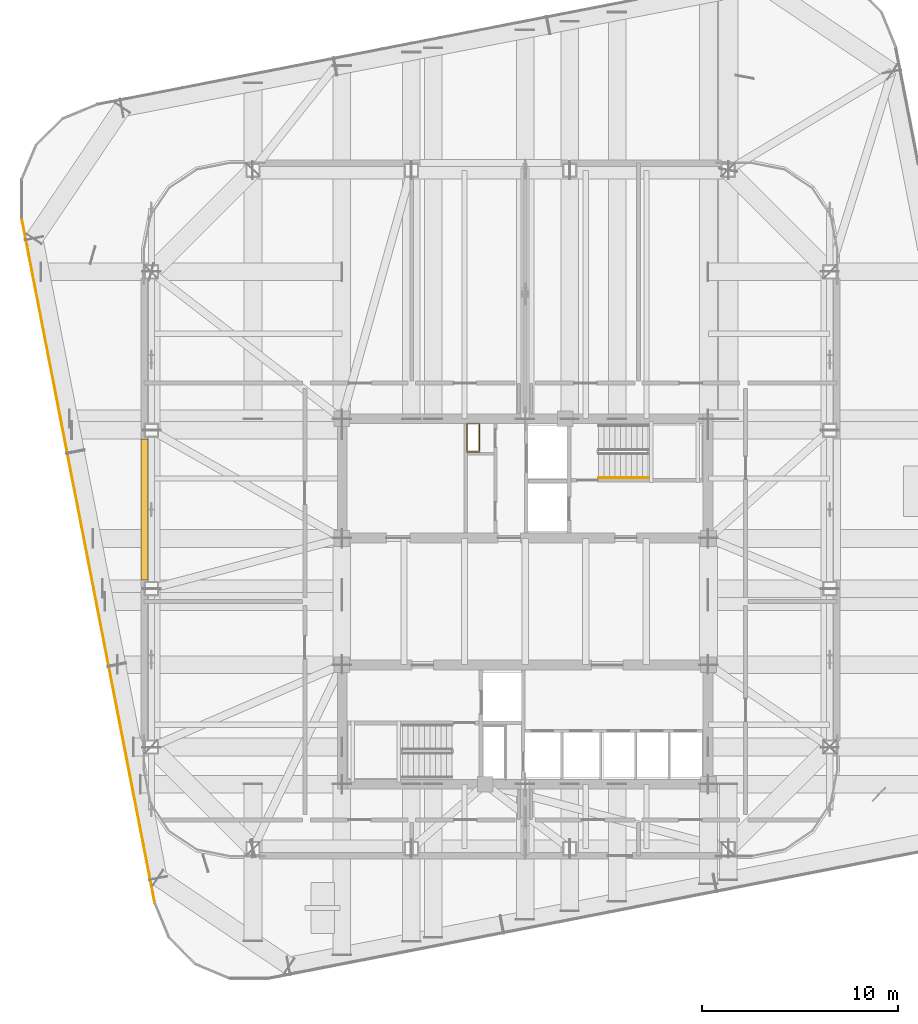
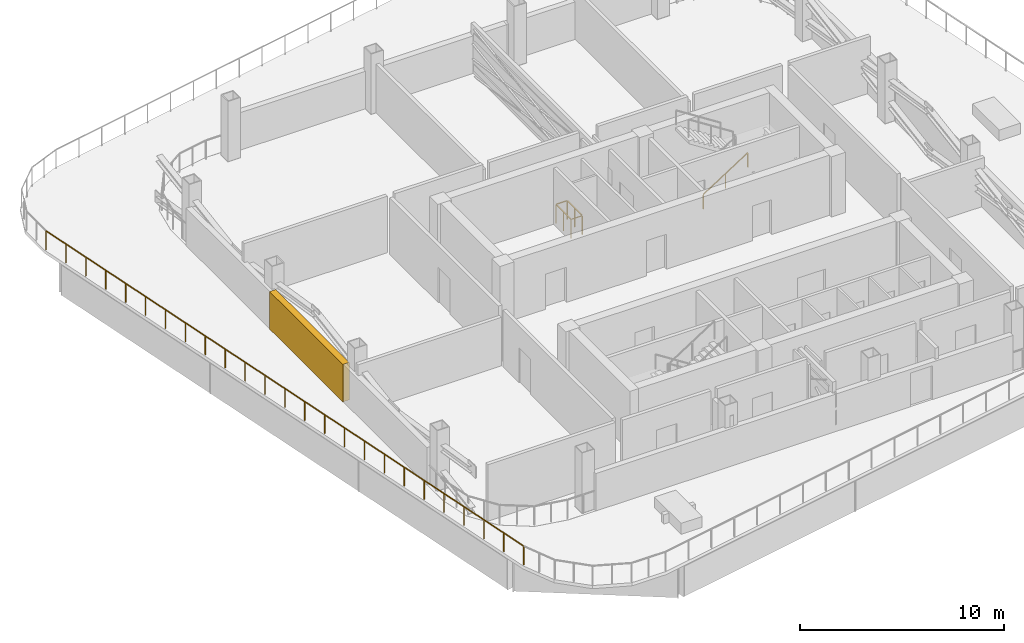
# One storey, part 12 of 14: 3 railings, 1 shading device.
"""IFC4 building model written with IfcOpenShell, lengths in metres."""

from ifc_helpers import new_model, si_unit, direction, frame, origin, origin_2d, place, context, subcontext, project, spatial, rectangle, extrude, material, type_object, element, save


model = new_model("IFC4")

# Units and contexts
model_context = context("Model", 3, precision=1e-05, world=origin(), true_north=direction((0.0, 1.0)))
body_context = subcontext(model_context, "Body", "Model", "MODEL_VIEW")
ifc_project = project(units=[si_unit("LENGTHUNIT", "METRE"), si_unit("AREAUNIT", "SQUARE_METRE"), si_unit("VOLUMEUNIT", "CUBIC_METRE"), si_unit("PLANEANGLEUNIT", "RADIAN"), si_unit("MASSUNIT", "GRAM", prefix="KILO")], contexts=[model_context])

# Site, building, storey
site_placement = place(None, origin())
site = spatial("IfcSite", under=ifc_project, at=site_placement, CompositionType="ELEMENT")
building_placement = place(site_placement, origin())
building = spatial("IfcBuilding", under=site, at=building_placement, Name="Qhalaya Broadcast Tower", CompositionType="ELEMENT")
storey_placement = place(building_placement, frame((0.0, 0.0, 144.60009765625)))
storey = spatial("IfcBuildingStorey", under=building, at=storey_placement, Name="L42", CompositionType="ELEMENT", Elevation=144.60009765625)

# Shading device
ifc_material_1 = material(Name="Fired Architectural Terracotta", Category="masonry")
shading_device_type = type_object("IfcShadingDeviceType", Name="Plant & Turbine-Slot Acoustic Louvre Screen LVS-01", PredefinedType="USERDEFINED", material=ifc_material_1)
shading_device_placement = place(storey_placement, frame((-19.47998046875, 5.31005859375, 0.0), z_axis=(0.0, 0.0, 1.0), x_axis=(0.0, 1.0, 0.0)))
element("IfcShadingDevice", 1, at=shading_device_placement, inside=storey, type_object=shading_device_type, Name="L42 Plant Acoustic Louvre Screen W", ObjectType="LOUVRE", PredefinedType="USERDEFINED", context=body_context, shape_type="SweptSolid", body=[
    extrude(rectangle(XDim=7.199951171875, YDim=0.360107421875, at=origin_2d()), origin(), (0.0, 0.0, 1.0), 2.241943359375),
])

# Railings
ifc_material_2 = material(Name="Powder-Coated Galvanised Steel", Category="steel")
railing_type_1 = type_object("IfcRailingType", Name="Stair Wall Handrail 900", PredefinedType="HANDRAIL", material=ifc_material_2)
railing_1_placement = place(storey_placement, frame((3.75, 6.929931640625, 0.179931640625)))
element("IfcRailing", 2, at=railing_1_placement, inside=storey, type_object=railing_type_1, Name="L42 ST-1 Stair Handrail 1", PredefinedType="HANDRAIL", context=body_context, shape_type="SweptSolid", body=[
    extrude(rectangle(XDim=0.048095703125, YDim=0.048095703125, at=origin_2d()), frame((0.0, 0.0, 0.8759765625), z_axis=(0.841199657755, 0.0, 0.540724639528), x_axis=(0.0, 1.0, 0.0)), (0.0, 0.0, 1.0), 2.995849609375),
    extrude(rectangle(XDim=0.0419921875, YDim=0.0419921875, at=origin_2d()), origin(), (0.0, 0.0, 1.0), 0.849853515625),
    extrude(rectangle(XDim=0.0419921875, YDim=0.0419921875, at=origin_2d()), frame((1.260009765625, 0.0, 0.81005859375)), (0.0, 0.0, 1.0), 0.849853515625),
    extrude(rectangle(XDim=0.0419921875, YDim=0.0419921875, at=origin_2d()), frame((2.52001953125, 0.0, 1.619873046875)), (0.0, 0.0, 1.0), 0.849853515625),
])
railing_type_2 = type_object("IfcRailingType", Name="Stair Well & Landing Guardrail 1100", PredefinedType="GUARDRAIL", material=ifc_material_2)
railing_2_placement = place(storey_placement, frame((-2.340087890625, 8.239990234375, 0.0)))
element("IfcRailing", 3, at=railing_2_placement, inside=storey, type_object=railing_type_2, Name="L42 Service Riser Opening Safety Guard NRSR", PredefinedType="GUARDRAIL", context=body_context, shape_type="SweptSolid", body=[
    extrude(rectangle(XDim=0.048095703125, YDim=0.048095703125, at=origin_2d()), frame((0.0, 0.02880859375, 1.1259765625), z_axis=(0.0, 1.0, 0.0), x_axis=(-1.0, 0.0, 0.0)), (0.0, 0.0, 1.0), 1.42236328125),
    extrude(rectangle(XDim=0.048095703125, YDim=0.048095703125, at=origin_2d()), frame((-0.02880859375, 1.47998046875, 1.1259765625), z_axis=(-1.0, 0.0, 0.0), x_axis=(0.0, -1.0, 0.0)), (0.0, 0.0, 1.0), 0.582275390625),
    extrude(rectangle(XDim=0.048095703125, YDim=0.048095703125, at=origin_2d()), frame((-0.639892578125, 1.451171875, 1.1259765625), z_axis=(0.0, -1.0, 0.0), x_axis=(1.0, 0.0, 0.0)), (0.0, 0.0, 1.0), 1.42236328125),
    extrude(rectangle(XDim=0.048095703125, YDim=0.048095703125, at=origin_2d()), frame((-0.611083984375, 0.0, 1.1259765625), z_axis=(1.0, 0.0, 0.0), x_axis=(0.0, 1.0, 0.0)), (0.0, 0.0, 1.0), 0.582275390625),
    extrude(rectangle(XDim=0.0419921875, YDim=0.0419921875, at=origin_2d()), origin(), (0.0, 0.0, 1.0), 1.099853515625),
    extrude(rectangle(XDim=0.0419921875, YDim=0.0419921875, at=origin_2d()), frame((0.0, 0.739990234375, 0.0)), (0.0, 0.0, 1.0), 1.099853515625),
    extrude(rectangle(XDim=0.0419921875, YDim=0.0419921875, at=origin_2d()), frame((0.0, 1.47998046875, 0.0)), (0.0, 0.0, 1.0), 1.099853515625),
    extrude(rectangle(XDim=0.0419921875, YDim=0.0419921875, at=origin_2d()), frame((-0.639892578125, 1.47998046875, 0.0)), (0.0, 0.0, 1.0), 1.099853515625),
    extrude(rectangle(XDim=0.0419921875, YDim=0.0419921875, at=origin_2d()), frame((-0.639892578125, 0.739990234375, 0.0)), (0.0, 0.0, 1.0), 1.099853515625),
    extrude(rectangle(XDim=0.0419921875, YDim=0.0419921875, at=origin_2d()), frame((-0.639892578125, 0.0, 0.0)), (0.0, 0.0, 1.0), 1.099853515625),
])
railing_type_3 = type_object("IfcRailingType", Name="Terrace, Sky-Pool & Lookout Glass Balustrade 1150", PredefinedType="BALUSTRADE", material=ifc_material_2)
railing_3_placement = place(storey_placement, frame((-18.947265625, -14.779052734375, 0.0)))
element("IfcRailing", 4, at=railing_3_placement, inside=storey, type_object=railing_type_3, Name="L42 Perimeter Safety Balustrade BAL-TER1-06", PredefinedType="BALUSTRADE", context=body_context, shape_type="SweptSolid", body=[
    extrude(rectangle(XDim=0.048095703125, YDim=0.048095703125, at=origin_2d()), frame((0.0, 0.0, 1.1259765625), z_axis=(-0.190808312289, 0.981627316226, 0.0), x_axis=(-0.981627316226, -0.190808312289, 0.0)), (0.0, 0.0, 1.0), 35.68408203125),
    extrude(rectangle(XDim=0.0419921875, YDim=0.0419921875, at=origin_2d()), origin(), (0.0, 0.0, 1.0), 1.099853515625),
    extrude(rectangle(XDim=0.0419921875, YDim=0.0419921875, at=origin_2d()), frame((-0.28369140625, 1.45947265625, 0.0)), (0.0, 0.0, 1.0), 1.099853515625),
    extrude(rectangle(XDim=0.0419921875, YDim=0.0419921875, at=origin_2d()), frame((-0.5673828125, 2.9189453125, 0.0)), (0.0, 0.0, 1.0), 1.099853515625),
    extrude(rectangle(XDim=0.0419921875, YDim=0.0419921875, at=origin_2d()), frame((-0.85107421875, 4.378662109375, 0.0)), (0.0, 0.0, 1.0), 1.099853515625),
    extrude(rectangle(XDim=0.0419921875, YDim=0.0419921875, at=origin_2d()), frame((-1.134765625, 5.838134765625, 0.0)), (0.0, 0.0, 1.0), 1.099853515625),
    extrude(rectangle(XDim=0.0419921875, YDim=0.0419921875, at=origin_2d()), frame((-1.41845703125, 7.297607421875, 0.0)), (0.0, 0.0, 1.0), 1.099853515625),
    extrude(rectangle(XDim=0.0419921875, YDim=0.0419921875, at=origin_2d()), frame((-1.7021484375, 8.757080078125, 0.0)), (0.0, 0.0, 1.0), 1.099853515625),
    extrude(rectangle(XDim=0.0419921875, YDim=0.0419921875, at=origin_2d()), frame((-1.98583984375, 10.216552734375, 0.0)), (0.0, 0.0, 1.0), 1.099853515625),
    extrude(rectangle(XDim=0.0419921875, YDim=0.0419921875, at=origin_2d()), frame((-2.26953125, 11.67626953125, 0.0)), (0.0, 0.0, 1.0), 1.099853515625),
    extrude(rectangle(XDim=0.0419921875, YDim=0.0419921875, at=origin_2d()), frame((-2.55322265625, 13.1357421875, 0.0)), (0.0, 0.0, 1.0), 1.099853515625),
    extrude(rectangle(XDim=0.0419921875, YDim=0.0419921875, at=origin_2d()), frame((-2.8369140625, 14.59521484375, 0.0)), (0.0, 0.0, 1.0), 1.099853515625),
    extrude(rectangle(XDim=0.0419921875, YDim=0.0419921875, at=origin_2d()), frame((-3.12060546875, 16.0546875, 0.0)), (0.0, 0.0, 1.0), 1.099853515625),
    extrude(rectangle(XDim=0.0419921875, YDim=0.0419921875, at=origin_2d()), frame((-3.404296875, 17.51416015625, 0.0)), (0.0, 0.0, 1.0), 1.099853515625),
    extrude(rectangle(XDim=0.0419921875, YDim=0.0419921875, at=origin_2d()), frame((-3.688232421875, 18.973876953125, 0.0)), (0.0, 0.0, 1.0), 1.099853515625),
    extrude(rectangle(XDim=0.0419921875, YDim=0.0419921875, at=origin_2d()), frame((-3.971923828125, 20.433349609375, 0.0)), (0.0, 0.0, 1.0), 1.099853515625),
    extrude(rectangle(XDim=0.0419921875, YDim=0.0419921875, at=origin_2d()), frame((-4.255615234375, 21.892822265625, 0.0)), (0.0, 0.0, 1.0), 1.099853515625),
    extrude(rectangle(XDim=0.0419921875, YDim=0.0419921875, at=origin_2d()), frame((-4.539306640625, 23.352294921875, 0.0)), (0.0, 0.0, 1.0), 1.099853515625),
    extrude(rectangle(XDim=0.0419921875, YDim=0.0419921875, at=origin_2d()), frame((-4.822998046875, 24.81201171875, 0.0)), (0.0, 0.0, 1.0), 1.099853515625),
    extrude(rectangle(XDim=0.0419921875, YDim=0.0419921875, at=origin_2d()), frame((-5.106689453125, 26.271484375, 0.0)), (0.0, 0.0, 1.0), 1.099853515625),
    extrude(rectangle(XDim=0.0419921875, YDim=0.0419921875, at=origin_2d()), frame((-5.390380859375, 27.73095703125, 0.0)), (0.0, 0.0, 1.0), 1.099853515625),
    extrude(rectangle(XDim=0.0419921875, YDim=0.0419921875, at=origin_2d()), frame((-5.674072265625, 29.1904296875, 0.0)), (0.0, 0.0, 1.0), 1.099853515625),
    extrude(rectangle(XDim=0.0419921875, YDim=0.0419921875, at=origin_2d()), frame((-5.957763671875, 30.64990234375, 0.0)), (0.0, 0.0, 1.0), 1.099853515625),
    extrude(rectangle(XDim=0.0419921875, YDim=0.0419921875, at=origin_2d()), frame((-6.241455078125, 32.109619140625, 0.0)), (0.0, 0.0, 1.0), 1.099853515625),
    extrude(rectangle(XDim=0.0419921875, YDim=0.0419921875, at=origin_2d()), frame((-6.525146484375, 33.569091796875, 0.0)), (0.0, 0.0, 1.0), 1.099853515625),
    extrude(rectangle(XDim=0.0419921875, YDim=0.0419921875, at=origin_2d()), frame((-6.808837890625, 35.028564453125, 0.0)), (0.0, 0.0, 1.0), 1.099853515625),
])

save(model, "model.ifc")
